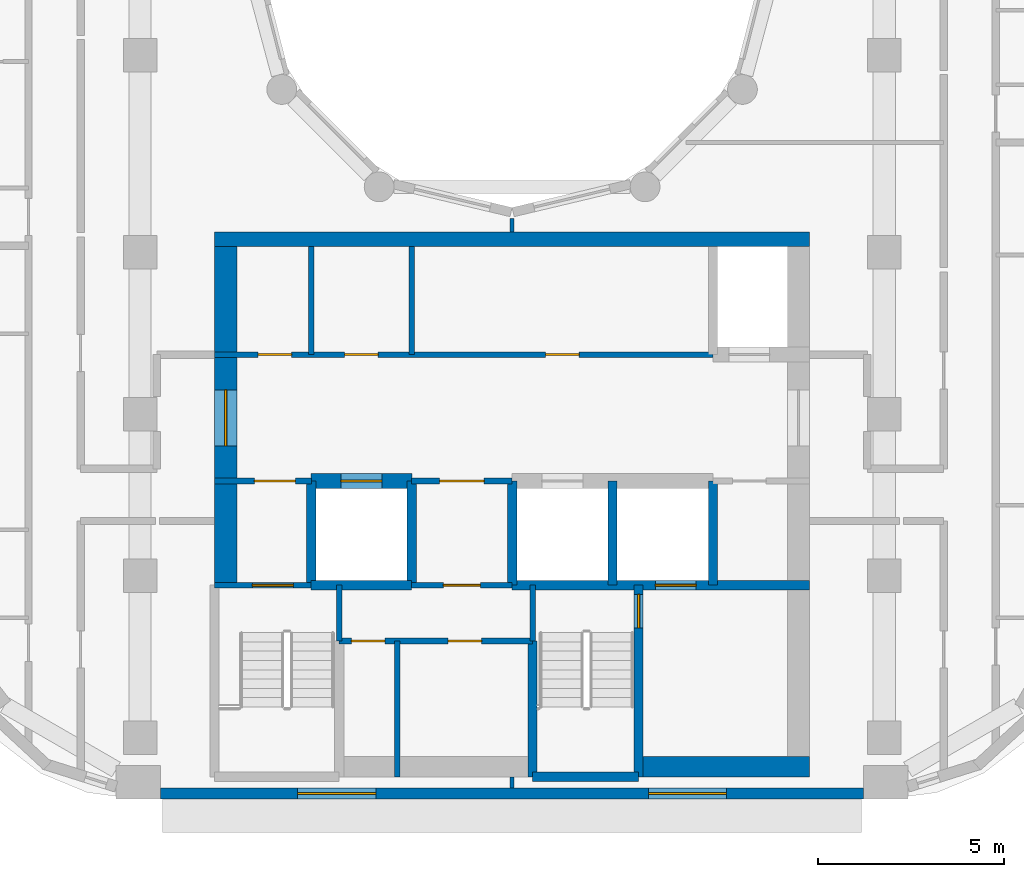
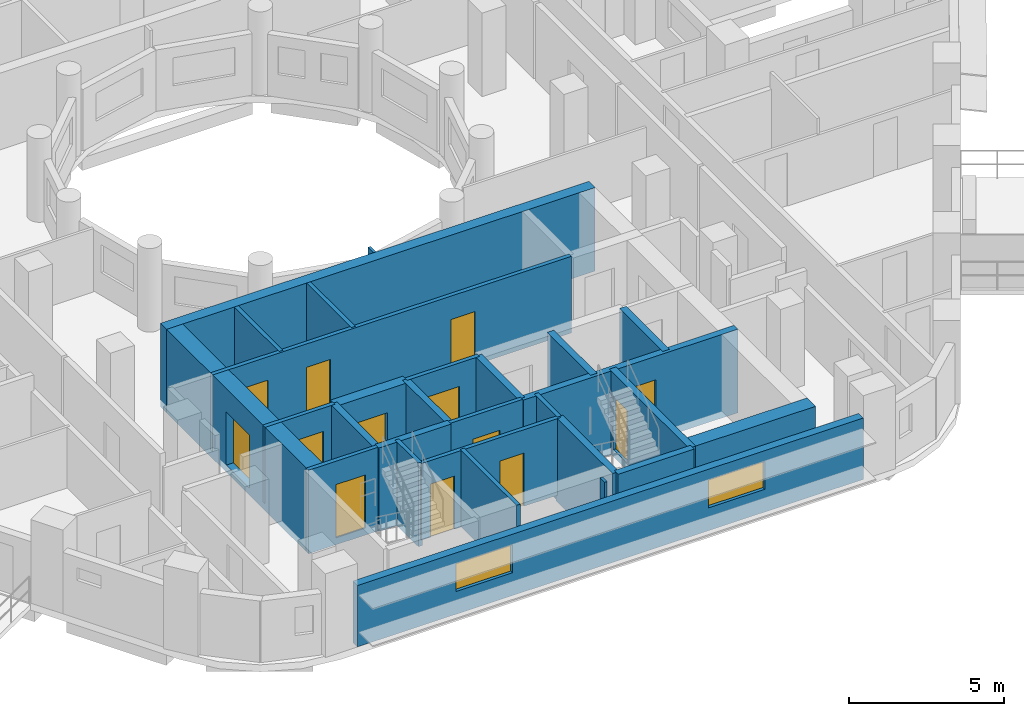
# One storey, part 3 of 15: 28 walls, 13 doors, 2 windows, 15 openings.
"""IFC4 building model written with IfcOpenShell, lengths in metres."""

from ifc_helpers import new_model, si_unit, direction, frame, frame_2d, origin, place, context, subcontext, project, spatial, rectangle, extrude, material, layer, layer_set, type_object, element, fill, save


model = new_model("IFC4")

# Units and contexts
model_context = context("Model", 3, precision=1e-05, world=origin(), true_north=direction((0.0, 1.0)))
body_context = subcontext(model_context, "Body", "Model", "MODEL_VIEW")
ifc_project = project(units=[si_unit("LENGTHUNIT", "METRE"), si_unit("AREAUNIT", "SQUARE_METRE"), si_unit("VOLUMEUNIT", "CUBIC_METRE"), si_unit("PLANEANGLEUNIT", "RADIAN"), si_unit("MASSUNIT", "GRAM", prefix="KILO")], contexts=[model_context])

# Site, building, storey
site_placement = place(None, origin())
site = spatial("IfcSite", under=ifc_project, at=site_placement, CompositionType="ELEMENT")
building_placement = place(site_placement, origin())
building = spatial("IfcBuilding", under=site, at=building_placement, Name="Nakaniwa Court", CompositionType="ELEMENT")
storey_placement = place(building_placement, frame((0.0, 0.0, 186.60009765625)))
storey = spatial("IfcBuildingStorey", under=building, at=storey_placement, Name="L48", CompositionType="ELEMENT", Elevation=186.60009765625)

# Wall, openings, windows
ifc_material_1 = material(Name="Charcoal ceramic cladding")
ifc_layer_1 = layer(ifc_material_1, 0.02, Name="Ceramic cladding")
ifc_material_2 = material(Name="Ventilated air cavity")
ifc_layer_2 = layer(ifc_material_2, 0.04, ventilated=True, Name="Ventilated cavity")
ifc_material_3 = material(Name="Mineral wool insulation")
ifc_layer_3 = layer(ifc_material_3, 0.1, Name="Insulation")
ifc_material_4 = material(Name="Cement bonded sheathing board")
ifc_layer_4 = layer(ifc_material_4, 0.012, Name="Sheathing")
ifc_material_5 = material(Name="Cold-formed galvanised stud frame with mineral wool infill")
ifc_layer_5 = layer(ifc_material_5, 0.1, Name="Stud frame")
ifc_material_6 = material(Name="Fire-rated gypsum plasterboard lining")
ifc_layer_6 = layer(ifc_material_6, 0.028, Name="Lining")
ifc_layer_set_1 = layer_set([ifc_layer_1, ifc_layer_2, ifc_layer_3, ifc_layer_4, ifc_layer_5, ifc_layer_6], Name="Charcoal ceramic faced external wall system")
wall_type_1 = type_object("IfcWallType", Name="Black ceramic faced external wall 300", PredefinedType="SOLIDWALL", material=ifc_layer_set_1)
wall_1_placement = place(storey_placement, frame((70.55078125, 57.5, 0.0), z_axis=(0.0, 0.0, 1.0), x_axis=(1.0, 0.0, 0.0)))
wall_1 = element("IfcWall", 1, at=wall_1_placement, inside=storey, type_object=wall_type_1, Name="L48 external wall 26", PredefinedType="SOLIDWALL", context=body_context, shape_type="SweptSolid", body=[
    extrude(rectangle(XDim=18.892822265625, YDim=0.300048828125, at=frame_2d((9.4462890625, 0.0))), origin(), (0.0, 0.0, 1.0), 2.4248046875),
])
opening_1_placement = place(wall_1_placement, frame((3.6865234375, 0.0, 0.89990234375)))
opening_1 = element("IfcOpeningElement", 2, at=opening_1_placement, cuts=wall_1, Name="Opening W7.27", PredefinedType="OPENING", context=body_context, shape_type="SweptSolid", body=[
    extrude(rectangle(XDim=2.10009765625, YDim=1.10009765625, at=frame_2d((1.050048828125, 0.550048828125))), frame((0.0, 0.159912109375, 0.0), z_axis=(0.0, -1.0, 0.0), x_axis=(1.0, 0.0, 0.0)), (0.0, 0.0, 1.0), 0.320068359375),
])
opening_2_placement = place(wall_1_placement, frame((13.10888671875, 0.0, 0.89990234375)))
opening_2 = element("IfcOpeningElement", 3, at=opening_2_placement, cuts=wall_1, Name="Opening W7.28", PredefinedType="OPENING", context=body_context, shape_type="SweptSolid", body=[
    extrude(rectangle(XDim=2.10009765625, YDim=1.10009765625, at=frame_2d((1.050048828125, 0.550048828125))), frame((0.0, 0.159912109375, 0.0), z_axis=(0.0, -1.0, 0.0), x_axis=(1.0, 0.0, 0.0)), (0.0, 0.0, 1.0), 0.320068359375),
])
ifc_material_7 = material(Name="Black anodised aluminium frame with dark low-E laminated double glazing", Category="aluminium")
window_type = type_object("IfcWindowType", Name="Dark glass window 2100x1100 sill 900", PartitioningType="SINGLE_PANEL", PredefinedType="WINDOW", material=ifc_material_7)
window_1_placement = place(opening_1_placement, origin())
window_1 = element("IfcWindow", 4, at=window_1_placement, inside=storey, type_object=window_type, Name="L48 habitable room window 26-0", OverallHeight=1.10009765625, OverallWidth=2.10009765625, PartitioningType="SINGLE_PANEL", PredefinedType="WINDOW", context=body_context, shape_type="SweptSolid", body=[
    extrude(rectangle(XDim=2.10009765625, YDim=1.10009765625, at=frame_2d((1.050048828125, 0.550048828125))), frame((0.0, 0.030029296875, 0.0), z_axis=(0.0, -1.0, 0.0), x_axis=(1.0, 0.0, 0.0)), (0.0, 0.0, 1.0), 0.06005859375),
])
fill(opening_1, window_1)
window_2_placement = place(opening_2_placement, origin())
window_2 = element("IfcWindow", 5, at=window_2_placement, inside=storey, type_object=window_type, Name="L48 habitable room window 26-1", OverallHeight=1.10009765625, OverallWidth=2.10009765625, PartitioningType="SINGLE_PANEL", PredefinedType="WINDOW", context=body_context, shape_type="SweptSolid", body=[
    extrude(rectangle(XDim=2.10009765625, YDim=1.10009765625, at=frame_2d((1.050048828125, 0.550048828125))), frame((0.0, 0.030029296875, 0.0), z_axis=(0.0, -1.0, 0.0), x_axis=(1.0, 0.0, 0.0)), (0.0, 0.0, 1.0), 0.06005859375),
])
fill(opening_2, window_2)

# Wall
ifc_material_8 = material(Name="Blockwork partition", Category="masonry")
ifc_layer_7 = layer(ifc_material_8, 0.14990234375)
ifc_layer_set_2 = layer_set([ifc_layer_7], Name="Blockwork partition")
wall_type_2 = type_object("IfcWallType", Name="Blockwork partition 150", PredefinedType="PARTITIONING", material=ifc_layer_set_2)
wall_2_placement = place(storey_placement, frame((74.60009765625, 69.300048828125, 0.0), z_axis=(0.0, 0.0, 1.0), x_axis=(0.0, 1.0, 0.0)))
element("IfcWall", 6, at=wall_2_placement, inside=storey, type_object=wall_type_2, Name="Partition PW-034", PredefinedType="PARTITIONING", context=body_context, shape_type="SweptSolid", body=[
    extrude(rectangle(XDim=2.89990234375, YDim=0.14990234375, at=frame_2d((1.449951171875, 0.0))), origin(), (0.0, 0.0, 1.0), 3.02490234375),
])

# Wall, openings, doors
wall_3_placement = place(storey_placement, frame((72.0, 69.300048828125, 0.0), z_axis=(0.0, 0.0, 1.0), x_axis=(1.0, 0.0, 0.0)))
wall_3 = element("IfcWall", 7, at=wall_3_placement, inside=storey, type_object=wall_type_2, Name="Partition PW-035", PredefinedType="PARTITIONING", context=body_context, shape_type="SweptSolid", body=[
    extrude(rectangle(XDim=13.39990234375, YDim=0.14990234375, at=frame_2d((6.699951171875, 0.0))), origin(), (0.0, 0.0, 1.0), 3.02490234375),
])
opening_3_placement = place(wall_3_placement, frame((1.175048828125, 0.0, 0.0)))
opening_3 = element("IfcOpeningElement", 8, at=opening_3_placement, cuts=wall_3, Name="Opening D-05-07", PredefinedType="OPENING", context=body_context, shape_type="SweptSolid", body=[
    extrude(rectangle(XDim=0.89990234375, YDim=2.10009765625, at=frame_2d((0.449951171875, 1.050048828125))), frame((0.0, 0.0849609375, 0.0), z_axis=(0.0, -1.0, 0.0), x_axis=(1.0, 0.0, 0.0)), (0.0, 0.0, 1.0), 0.169921875),
])
opening_4_placement = place(wall_3_placement, frame((3.5, 0.0, 0.0)))
opening_4 = element("IfcOpeningElement", 9, at=opening_4_placement, cuts=wall_3, Name="Opening D-05-08", PredefinedType="OPENING", context=body_context, shape_type="SweptSolid", body=[
    extrude(rectangle(XDim=0.89990234375, YDim=2.10009765625, at=frame_2d((0.449951171875, 1.050048828125))), frame((0.0, 0.0849609375, 0.0), z_axis=(0.0, -1.0, 0.0), x_axis=(1.0, 0.0, 0.0)), (0.0, 0.0, 1.0), 0.169921875),
])
opening_5_placement = place(wall_3_placement, frame((8.89990234375, 0.0, 0.0)))
opening_5 = element("IfcOpeningElement", 10, at=opening_5_placement, cuts=wall_3, Name="Opening D-05-09", PredefinedType="OPENING", context=body_context, shape_type="SweptSolid", body=[
    extrude(rectangle(XDim=0.89990234375, YDim=2.10009765625, at=frame_2d((0.449951171875, 1.050048828125))), frame((0.0, 0.0849609375, 0.0), z_axis=(0.0, -1.0, 0.0), x_axis=(1.0, 0.0, 0.0)), (0.0, 0.0, 1.0), 0.169921875),
])
ifc_material_9 = material(Name="Fire rated steel door set", Category="steel")
door_type_1 = type_object("IfcDoorType", Name="Service room door 900", OperationType="NOTDEFINED", PredefinedType="DOOR", material=ifc_material_9)
door_1_placement = place(opening_3_placement, origin())
door_1 = element("IfcDoor", 11, at=door_1_placement, inside=storey, type_object=door_type_1, Name="Door D-05-07 L48-012", OperationType="SINGLE_SWING_LEFT", OverallHeight=2.10009765625, OverallWidth=0.89990234375, PredefinedType="DOOR", context=body_context, shape_type="SweptSolid", body=[
    extrude(rectangle(XDim=0.89990234375, YDim=2.10009765625, at=frame_2d((0.449951171875, 1.050048828125))), frame((0.0, 0.02490234375, 0.0), z_axis=(0.0, -1.0, 0.0), x_axis=(1.0, 0.0, 0.0)), (0.0, 0.0, 1.0), 0.050048828125),
])
fill(opening_3, door_1)
door_2_placement = place(opening_4_placement, origin())
door_2 = element("IfcDoor", 12, at=door_2_placement, inside=storey, type_object=door_type_1, Name="Door D-05-08 L48-013", OperationType="SINGLE_SWING_RIGHT", OverallHeight=2.10009765625, OverallWidth=0.89990234375, PredefinedType="DOOR", context=body_context, shape_type="SweptSolid", body=[
    extrude(rectangle(XDim=0.89990234375, YDim=2.10009765625, at=frame_2d((0.449951171875, 1.050048828125))), frame((0.0, 0.02490234375, 0.0), z_axis=(0.0, -1.0, 0.0), x_axis=(1.0, 0.0, 0.0)), (0.0, 0.0, 1.0), 0.050048828125),
])
fill(opening_4, door_2)
door_3_placement = place(opening_5_placement, origin())
door_3 = element("IfcDoor", 13, at=door_3_placement, inside=storey, type_object=door_type_1, Name="Door D-05-09 L48-014", OperationType="SINGLE_SWING_LEFT", OverallHeight=2.10009765625, OverallWidth=0.89990234375, PredefinedType="DOOR", context=body_context, shape_type="SweptSolid", body=[
    extrude(rectangle(XDim=0.89990234375, YDim=2.10009765625, at=frame_2d((0.449951171875, 1.050048828125))), frame((0.0, 0.02490234375, 0.0), z_axis=(0.0, -1.0, 0.0), x_axis=(1.0, 0.0, 0.0)), (0.0, 0.0, 1.0), 0.050048828125),
])
fill(opening_5, door_3)

# Wall
wall_4_placement = place(storey_placement, frame((77.300048828125, 69.300048828125, 0.0), z_axis=(0.0, 0.0, 1.0), x_axis=(0.0, 1.0, 0.0)))
element("IfcWall", 14, at=wall_4_placement, inside=storey, type_object=wall_type_2, Name="Partition PW-041", PredefinedType="PARTITIONING", context=body_context, shape_type="SweptSolid", body=[
    extrude(rectangle(XDim=2.89990234375, YDim=0.14990234375, at=frame_2d((1.449951171875, 0.0))), origin(), (0.0, 0.0, 1.0), 3.02490234375),
])

# Wall, opening, door
wall_5_placement = place(storey_placement, frame((74.60302734375, 65.89990234375, 0.0), z_axis=(0.0, 0.0, 1.0), x_axis=(-1.0, 0.0, 0.0)))
wall_5 = element("IfcWall", 15, at=wall_5_placement, inside=storey, type_object=wall_type_2, Name="Partition PW-042", PredefinedType="PARTITIONING", context=body_context, shape_type="SweptSolid", body=[
    extrude(rectangle(XDim=2.60302734375, YDim=0.14990234375, at=frame_2d((1.301513671875, 0.0))), origin(), (0.0, 0.0, 1.0), 3.02490234375),
])
opening_6_placement = place(wall_5_placement, frame((0.427978515625, 0.0, 0.0)))
opening_6 = element("IfcOpeningElement", 16, at=opening_6_placement, cuts=wall_5, Name="Opening D-08-02", PredefinedType="OPENING", context=body_context, shape_type="SweptSolid", body=[
    extrude(rectangle(XDim=1.10009765625, YDim=2.10009765625, at=frame_2d((0.550048828125, 1.050048828125))), frame((0.0, 0.0849609375, 0.0), z_axis=(0.0, -1.0, 0.0), x_axis=(1.0, 0.0, 0.0)), (0.0, 0.0, 1.0), 0.169921875),
])
door_type_2 = type_object("IfcDoorType", Name="Stair lobby door 1100", OperationType="NOTDEFINED", PredefinedType="DOOR", material=ifc_material_9)
door_4_placement = place(opening_6_placement, origin())
door_4 = element("IfcDoor", 17, at=door_4_placement, inside=storey, type_object=door_type_2, Name="Door D-08-02 L48-015", OperationType="SINGLE_SWING_RIGHT", OverallHeight=2.10009765625, OverallWidth=1.10009765625, PredefinedType="DOOR", context=body_context, shape_type="SweptSolid", body=[
    extrude(rectangle(XDim=1.10009765625, YDim=2.10009765625, at=frame_2d((0.550048828125, 1.050048828125))), frame((0.0, 0.02490234375, 0.0), z_axis=(0.0, -1.0, 0.0), x_axis=(1.0, 0.0, 0.0)), (0.0, 0.0, 1.0), 0.050048828125),
])
fill(opening_6, door_4)

wall_6_placement = place(storey_placement, frame((80.0029296875, 65.89990234375, 0.0), z_axis=(0.0, 0.0, 1.0), x_axis=(-1.0, 0.0, 0.0)))
wall_6 = element("IfcWall", 18, at=wall_6_placement, inside=storey, type_object=wall_type_2, Name="Partition PW-043", PredefinedType="PARTITIONING", context=body_context, shape_type="SweptSolid", body=[
    extrude(rectangle(XDim=2.705810546875, YDim=0.14990234375, at=frame_2d((1.35302734375, 0.0))), origin(), (0.0, 0.0, 1.0), 3.02490234375),
])
opening_7_placement = place(wall_6_placement, frame((0.7529296875, 0.0, 0.0)))
opening_7 = element("IfcOpeningElement", 19, at=opening_7_placement, cuts=wall_6, Name="Opening D-06-02", PredefinedType="OPENING", context=body_context, shape_type="SweptSolid", body=[
    extrude(rectangle(XDim=1.199951171875, YDim=2.10009765625, at=frame_2d((0.60009765625, 1.050048828125))), frame((0.0, 0.0849609375, 0.0), z_axis=(0.0, -1.0, 0.0), x_axis=(1.0, 0.0, 0.0)), (0.0, 0.0, 1.0), 0.169921875),
])
ifc_material_10 = material(Name="Fire rated steel double door set", Category="steel")
door_type_3 = type_object("IfcDoorType", Name="Service passage double door 1200", OperationType="NOTDEFINED", PredefinedType="DOOR", material=ifc_material_10)
door_5_placement = place(opening_7_placement, origin())
door_5 = element("IfcDoor", 20, at=door_5_placement, inside=storey, type_object=door_type_3, Name="Door D-06-02 L48-016", OperationType="DOUBLE_DOOR_SINGLE_SWING", OverallHeight=2.10009765625, OverallWidth=1.199951171875, PredefinedType="DOOR", context=body_context, shape_type="SweptSolid", body=[
    extrude(rectangle(XDim=1.199951171875, YDim=2.10009765625, at=frame_2d((0.60009765625, 1.050048828125))), frame((0.0, 0.02490234375, 0.0), z_axis=(0.0, -1.0, 0.0), x_axis=(1.0, 0.0, 0.0)), (0.0, 0.0, 1.0), 0.050048828125),
])
fill(opening_7, door_5)

wall_7_placement = place(storey_placement, frame((80.0, 63.10009765625, 0.0), z_axis=(0.0, 0.0, 1.0), x_axis=(-1.0, 0.0, 0.0)))
wall_7 = element("IfcWall", 21, at=wall_7_placement, inside=storey, type_object=wall_type_2, Name="Partition PW-053", PredefinedType="PARTITIONING", context=body_context, shape_type="SweptSolid", body=[
    extrude(rectangle(XDim=2.699951171875, YDim=0.14990234375, at=frame_2d((1.35009765625, 0.0))), origin(), (0.0, 0.0, 1.0), 3.02490234375),
])
opening_8_placement = place(wall_7_placement, frame((0.85009765625, 0.0, 0.0)))
opening_8 = element("IfcOpeningElement", 22, at=opening_8_placement, cuts=wall_7, Name="Opening D-23-02", PredefinedType="OPENING", context=body_context, shape_type="SweptSolid", body=[
    extrude(rectangle(XDim=1.0, YDim=2.10009765625, at=frame_2d((0.5, 1.050048828125))), frame((0.0, 0.0849609375, 0.0), z_axis=(0.0, -1.0, 0.0), x_axis=(1.0, 0.0, 0.0)), (0.0, 0.0, 1.0), 0.169921875),
])
door_type_4 = type_object("IfcDoorType", Name="Service room door 1000", OperationType="NOTDEFINED", PredefinedType="DOOR", material=ifc_material_9)
door_6_placement = place(opening_8_placement, origin())
door_6 = element("IfcDoor", 23, at=door_6_placement, inside=storey, type_object=door_type_4, Name="Door D-23-02 L48-018", OperationType="SINGLE_SWING_LEFT", OverallHeight=2.10009765625, OverallWidth=1.0, PredefinedType="DOOR", context=body_context, shape_type="SweptSolid", body=[
    extrude(rectangle(XDim=1.0, YDim=2.10009765625, at=frame_2d((0.5, 1.050048828125))), frame((0.0, 0.02490234375, 0.0), z_axis=(0.0, -1.0, 0.0), x_axis=(1.0, 0.0, 0.0)), (0.0, 0.0, 1.0), 0.050048828125),
])
fill(opening_8, door_6)

# Wall, openings, doors
wall_8_placement = place(storey_placement, frame((80.550048828125, 61.60009765625, 0.0), z_axis=(0.0, 0.0, 1.0), x_axis=(-1.0, 0.0, 0.0)))
wall_8 = element("IfcWall", 24, at=wall_8_placement, inside=storey, type_object=wall_type_2, Name="Partition PW-065", PredefinedType="PARTITIONING", context=body_context, shape_type="SweptSolid", body=[
    extrude(rectangle(XDim=5.199951171875, YDim=0.14990234375, at=frame_2d((2.60009765625, 0.0))), origin(), (0.0, 0.0, 1.0), 3.02490234375),
])
opening_9_placement = place(wall_8_placement, frame((3.969970703125, 0.0, 0.0)))
opening_9 = element("IfcOpeningElement", 25, at=opening_9_placement, cuts=wall_8, Name="Opening D-05-11", PredefinedType="OPENING", context=body_context, shape_type="SweptSolid", body=[
    extrude(rectangle(XDim=0.89990234375, YDim=2.10009765625, at=frame_2d((0.449951171875, 1.050048828125))), frame((0.0, 0.0849609375, 0.0), z_axis=(0.0, -1.0, 0.0), x_axis=(1.0, 0.0, 0.0)), (0.0, 0.0, 1.0), 0.169921875),
])
opening_10_placement = place(wall_8_placement, frame((1.3701171875, 0.0, 0.0)))
opening_10 = element("IfcOpeningElement", 26, at=opening_10_placement, cuts=wall_8, Name="Opening D-05-12", PredefinedType="OPENING", context=body_context, shape_type="SweptSolid", body=[
    extrude(rectangle(XDim=0.89990234375, YDim=2.10009765625, at=frame_2d((0.449951171875, 1.050048828125))), frame((0.0, 0.0849609375, 0.0), z_axis=(0.0, -1.0, 0.0), x_axis=(1.0, 0.0, 0.0)), (0.0, 0.0, 1.0), 0.169921875),
])
door_7_placement = place(opening_9_placement, origin())
door_7 = element("IfcDoor", 27, at=door_7_placement, inside=storey, type_object=door_type_1, Name="Door D-05-11 L48-019", OperationType="SINGLE_SWING_RIGHT", OverallHeight=2.10009765625, OverallWidth=0.89990234375, PredefinedType="DOOR", context=body_context, shape_type="SweptSolid", body=[
    extrude(rectangle(XDim=0.89990234375, YDim=2.10009765625, at=frame_2d((0.449951171875, 1.050048828125))), frame((0.0, 0.02490234375, 0.0), z_axis=(0.0, -1.0, 0.0), x_axis=(1.0, 0.0, 0.0)), (0.0, 0.0, 1.0), 0.050048828125),
])
fill(opening_9, door_7)
door_8_placement = place(opening_10_placement, origin())
door_8 = element("IfcDoor", 28, at=door_8_placement, inside=storey, type_object=door_type_1, Name="Door D-05-12 L48-020", OperationType="SINGLE_SWING_LEFT", OverallHeight=2.10009765625, OverallWidth=0.89990234375, PredefinedType="DOOR", context=body_context, shape_type="SweptSolid", body=[
    extrude(rectangle(XDim=0.89990234375, YDim=2.10009765625, at=frame_2d((0.449951171875, 1.050048828125))), frame((0.0, 0.02490234375, 0.0), z_axis=(0.0, -1.0, 0.0), x_axis=(1.0, 0.0, 0.0)), (0.0, 0.0, 1.0), 0.050048828125),
])
fill(opening_10, door_8)

# Wall
wall_9_placement = place(storey_placement, frame((76.909912109375, 57.949951171875, 0.0), z_axis=(0.0, 0.0, 1.0), x_axis=(0.0, 1.0, 0.0)))
element("IfcWall", 29, at=wall_9_placement, inside=storey, type_object=wall_type_2, Name="Partition PW-066", PredefinedType="PARTITIONING", context=body_context, shape_type="SweptSolid", body=[
    extrude(rectangle(XDim=3.650146484375, YDim=0.14990234375, at=frame_2d((1.8251953125, 0.0))), origin(), (0.0, 0.0, 1.0), 3.02490234375),
])

# Wall, opening, door
ifc_material_11 = material(Name="Concrete C80/100", Category="concrete")
ifc_layer_8 = layer(ifc_material_11, 0.60009765625)
ifc_layer_set_3 = layer_set([ifc_layer_8], Name="Concrete C80/100")
wall_type_3 = type_object("IfcWallType", Name="Concrete core side wall 600 C80", PredefinedType="SHEAR", material=ifc_layer_set_3)
wall_10_placement = place(storey_placement, frame((72.300048828125, 63.10009765625, -0.275146484375), z_axis=(0.0, 0.0, 1.0), x_axis=(0.0, 1.0, 0.0)))
wall_10 = element("IfcWall", 30, at=wall_10_placement, inside=storey, type_object=wall_type_3, Name="Core wall SW-36", PredefinedType="SHEAR", context=body_context, shape_type="SweptSolid", body=[
    extrude(rectangle(XDim=9.099853515625, YDim=0.60009765625, at=frame_2d((4.5498046875, 0.0))), origin(), (0.0, 0.0, 1.0), 3.300048828125),
])
opening_11_placement = place(wall_10_placement, frame((3.748046875, 0.0, 0.27490234375)))
opening_11 = element("IfcOpeningElement", 31, at=opening_11_placement, cuts=wall_10, Name="Opening D-07-04", PredefinedType="OPENING", context=body_context, shape_type="SweptSolid", body=[
    extrude(rectangle(XDim=1.5, YDim=2.10009765625, at=frame_2d((0.75, 1.050048828125))), frame((0.0, 0.31005859375, 0.0), z_axis=(0.0, -1.0, 0.0), x_axis=(1.0, 0.0, 0.0)), (0.0, 0.0, 1.0), 0.6201171875),
])
ifc_material_12 = material(Name="Glazed fire rated steel double door set", Category="steel")
door_type_5 = type_object("IfcDoorType", Name="Lobby double door 1500", OperationType="NOTDEFINED", PredefinedType="DOOR", material=ifc_material_12)
door_9_placement = place(opening_11_placement, origin())
door_9 = element("IfcDoor", 32, at=door_9_placement, inside=storey, type_object=door_type_5, Name="Door D-07-04 L48-055", OperationType="DOUBLE_DOOR_SINGLE_SWING", OverallHeight=2.10009765625, OverallWidth=1.5, PredefinedType="DOOR", context=body_context, shape_type="SweptSolid", body=[
    extrude(rectangle(XDim=1.5, YDim=2.10009765625, at=frame_2d((0.75, 1.050048828125))), frame((0.0, 0.02490234375, 0.0), z_axis=(0.0, -1.0, 0.0), x_axis=(1.0, 0.0, 0.0)), (0.0, 0.0, 1.0), 0.050048828125),
])
fill(opening_11, door_9)

ifc_layer_9 = layer(ifc_material_11, 0.39990234375)
ifc_layer_set_4 = layer_set([ifc_layer_9], Name="Concrete C80/100")
wall_type_4 = type_object("IfcWallType", Name="Concrete core spine wall 400 C80", PredefinedType="SHEAR", material=ifc_layer_set_4)
wall_11_placement = place(storey_placement, frame((74.596923828125, 65.89990234375, -0.275146484375), z_axis=(0.0, 0.0, 1.0), x_axis=(1.0, 0.0, 0.0)))
wall_11 = element("IfcWall", 33, at=wall_11_placement, inside=storey, type_object=wall_type_4, Name="Core wall SW-45", PredefinedType="SHEAR", context=body_context, shape_type="SweptSolid", body=[
    extrude(rectangle(XDim=2.7060546875, YDim=0.39990234375, at=frame_2d((1.35302734375, 0.0))), origin(), (0.0, 0.0, 1.0), 3.300048828125),
])
opening_12_placement = place(wall_11_placement, frame((0.802978515625, 0.0, 0.27490234375)))
opening_12 = element("IfcOpeningElement", 34, at=opening_12_placement, cuts=wall_11, Name="Opening LD06", PredefinedType="OPENING", context=body_context, shape_type="SweptSolid", body=[
    extrude(rectangle(XDim=1.10009765625, YDim=2.10009765625, at=frame_2d((0.550048828125, 1.050048828125))), frame((0.0, 0.2099609375, 0.0), z_axis=(0.0, -1.0, 0.0), x_axis=(1.0, 0.0, 0.0)), (0.0, 0.0, 1.0), 0.419921875),
])
ifc_material_13 = material(Name="Stainless steel sliding lift landing door", Category="steel")
door_type_6 = type_object("IfcDoorType", Name="Lift landing door 1100", OperationType="NOTDEFINED", PredefinedType="DOOR", material=ifc_material_13)
door_10_placement = place(opening_12_placement, origin())
door_10 = element("IfcDoor", 35, at=door_10_placement, inside=storey, type_object=door_type_6, Name="Lift landing door LD06 L48-006", OperationType="SLIDING_TO_LEFT", OverallHeight=2.10009765625, OverallWidth=1.10009765625, PredefinedType="DOOR", context=body_context, shape_type="SweptSolid", body=[
    extrude(rectangle(XDim=1.10009765625, YDim=2.10009765625, at=frame_2d((0.550048828125, 1.050048828125))), frame((0.0, 0.02490234375, 0.0), z_axis=(0.0, -1.0, 0.0), x_axis=(1.0, 0.0, 0.0)), (0.0, 0.0, 1.0), 0.050048828125),
])
fill(opening_12, door_10)

ifc_layer_10 = layer(ifc_material_11, 0.14990234375)
ifc_layer_set_5 = layer_set([ifc_layer_10], Name="Concrete C80/100")
wall_type_5 = type_object("IfcWallType", Name="Concrete core wall 150 C80", PredefinedType="SHEAR", material=ifc_layer_set_5)
wall_12_placement = place(storey_placement, frame((72.0, 63.10009765625, -0.275146484375), z_axis=(0.0, 0.0, 1.0), x_axis=(1.0, 0.0, 0.0)))
wall_12 = element("IfcWall", 36, at=wall_12_placement, inside=storey, type_object=wall_type_5, Name="Core wall SW-48", PredefinedType="SHEAR", context=body_context, shape_type="SweptSolid", body=[
    extrude(rectangle(XDim=2.60009765625, YDim=0.14990234375, at=frame_2d((1.300048828125, 0.0))), origin(), (0.0, 0.0, 1.0), 3.300048828125),
])
opening_13_placement = place(wall_12_placement, frame((1.02001953125, 0.0, 0.27490234375)))
opening_13 = element("IfcOpeningElement", 37, at=opening_13_placement, cuts=wall_12, Name="Opening D-09-02", PredefinedType="OPENING", context=body_context, shape_type="SweptSolid", body=[
    extrude(rectangle(XDim=1.10009765625, YDim=2.10009765625, at=frame_2d((0.550048828125, 1.050048828125))), frame((0.0, 0.0849609375, 0.0), z_axis=(0.0, -1.0, 0.0), x_axis=(1.0, 0.0, 0.0)), (0.0, 0.0, 1.0), 0.169921875),
])
door_type_7 = type_object("IfcDoorType", Name="Stair door 1100", OperationType="NOTDEFINED", PredefinedType="DOOR", material=ifc_material_9)
door_11_placement = place(opening_13_placement, origin())
door_11 = element("IfcDoor", 38, at=door_11_placement, inside=storey, type_object=door_type_7, Name="Door D-09-02 L48-021", OperationType="SINGLE_SWING_LEFT", OverallHeight=2.10009765625, OverallWidth=1.10009765625, PredefinedType="DOOR", context=body_context, shape_type="SweptSolid", body=[
    extrude(rectangle(XDim=1.10009765625, YDim=2.10009765625, at=frame_2d((0.550048828125, 1.050048828125))), frame((0.0, 0.02490234375, 0.0), z_axis=(0.0, -1.0, 0.0), x_axis=(1.0, 0.0, 0.0)), (0.0, 0.0, 1.0), 0.050048828125),
])
fill(opening_13, door_11)

# Walls
for number, where, z_axis, x_axis, name in (
    (39, (75.35009765625, 61.596923828125, -0.275146484375), (0.0, 0.0, 1.0), (0.0, 1.0, 0.0), "Core wall SW-55"),
    (40, (80.550048828125, 61.596923828125, -0.275146484375), (0.0, 0.0, 1.0), (0.0, 1.0, 0.0), "Core wall SW-61"),
):
    element("IfcWall", number, at=place(storey_placement, frame(where, z_axis=z_axis, x_axis=x_axis)), inside=storey, type_object=wall_type_5, Name=name, PredefinedType="SHEAR", context=body_context, shape_type="SweptSolid", body=[
        extrude(rectangle(XDim=1.503173828125, YDim=0.14990234375, at=frame_2d((0.75146484375, 0.0))), origin(), (0.0, 0.0, 1.0), 3.300048828125),
    ])
ifc_layer_11 = layer(ifc_material_11, 0.25)
ifc_layer_set_6 = layer_set([ifc_layer_11], Name="Concrete C80/100")
wall_type_6 = type_object("IfcWallType", Name="Concrete core wall 250 C80", PredefinedType="SHEAR", material=ifc_layer_set_6)
wall_13_placement = place(storey_placement, frame((80.550048828125, 57.949951171875, -0.275146484375), z_axis=(0.0, 0.0, 1.0), x_axis=(1.0, 0.0, 0.0)))
element("IfcWall", 41, at=wall_13_placement, inside=storey, type_object=wall_type_6, Name="Core wall SW-59", PredefinedType="SHEAR", context=body_context, shape_type="SweptSolid", body=[
    extrude(rectangle(XDim=2.849853515625, YDim=0.25, at=frame_2d((1.4248046875, 0.0))), origin(), (0.0, 0.0, 1.0), 3.300048828125),
])
ifc_layer_12 = layer(ifc_material_11, 0.550048828125)
ifc_layer_set_7 = layer_set([ifc_layer_12], Name="Concrete C80/100")
wall_type_7 = type_object("IfcWallType", Name="Concrete core wall 550 C80", PredefinedType="SHEAR", material=ifc_layer_set_7)
wall_14_placement = place(storey_placement, frame((83.39990234375, 58.22509765625, -0.275146484375), z_axis=(0.0, 0.0, 1.0), x_axis=(1.0, 0.0, 0.0)))
element("IfcWall", 42, at=wall_14_placement, inside=storey, type_object=wall_type_7, Name="Core wall SW-64", PredefinedType="SHEAR", context=body_context, shape_type="SweptSolid", body=[
    extrude(rectangle(XDim=4.60009765625, YDim=0.550048828125, at=frame_2d((2.300048828125, 0.0))), origin(), (0.0, 0.0, 1.0), 3.300048828125),
])
ifc_layer_13 = layer(ifc_material_11, 0.39990234375)
ifc_layer_set_8 = layer_set([ifc_layer_13], Name="Concrete C80/100")
wall_type_8 = type_object("IfcWallType", Name="Concrete core well wall 400 C80", PredefinedType="SHEAR", material=ifc_layer_set_8)
wall_15_placement = place(storey_placement, frame((72.00390625, 72.39990234375, -0.275146484375), z_axis=(0.0, 0.0, 1.0), x_axis=(1.0, 0.0, 0.0)))
element("IfcWall", 43, at=wall_15_placement, inside=storey, type_object=wall_type_8, Name="Core wall SW-133", PredefinedType="SHEAR", context=body_context, shape_type="SweptSolid", body=[
    extrude(rectangle(XDim=15.9921875, YDim=0.39990234375, at=frame_2d((7.99609375, 0.0))), origin(), (0.0, 0.0, 1.0), 3.300048828125),
])
ifc_layer_14 = layer(ifc_material_11, 0.25)
ifc_layer_set_9 = layer_set([ifc_layer_14], Name="Concrete C80/100")
wall_type_9 = type_object("IfcWallType", Name="Concrete shaft wall 250 C80", PredefinedType="SHEAR", material=ifc_layer_set_9)
for number, where, z_axis, x_axis, name in (
    (44, (85.39990234375, 63.10009765625, -0.275146484375), (0.0, 0.0, 1.0), (0.0, 1.0, 0.0), "Core wall SW-37"),
    (45, (74.60009765625, 63.10009765625, -0.275146484375), (0.0, 0.0, 1.0), (0.0, 1.0, 0.0), "Core wall SW-47"),
    (46, (77.300048828125, 63.10009765625, -0.275146484375), (0.0, 0.0, 1.0), (0.0, 1.0, 0.0), "Core wall SW-49"),
):
    element("IfcWall", number, at=place(storey_placement, frame(where, z_axis=z_axis, x_axis=x_axis)), inside=storey, type_object=wall_type_9, Name=name, PredefinedType="SHEAR", context=body_context, shape_type="SweptSolid", body=[
        extrude(rectangle(XDim=2.7998046875, YDim=0.25, at=frame_2d((1.39990234375, 0.0))), origin(), (0.0, 0.0, 1.0), 3.300048828125),
    ])
wall_16_placement = place(storey_placement, frame((74.60009765625, 63.10009765625, -0.275146484375), z_axis=(0.0, 0.0, 1.0), x_axis=(1.0, 0.0, 0.0)))
element("IfcWall", 47, at=wall_16_placement, inside=storey, type_object=wall_type_9, Name="Core wall SW-50", PredefinedType="SHEAR", context=body_context, shape_type="SweptSolid", body=[
    extrude(rectangle(XDim=2.699951171875, YDim=0.25, at=frame_2d((1.35009765625, 0.0))), origin(), (0.0, 0.0, 1.0), 3.300048828125),
])

# Wall, opening, door
wall_17_placement = place(storey_placement, frame((80.0, 63.10009765625, -0.275146484375), z_axis=(0.0, 0.0, 1.0), x_axis=(1.0, 0.0, 0.0)))
wall_17 = element("IfcWall", 48, at=wall_17_placement, inside=storey, type_object=wall_type_9, Name="Core wall SW-51", PredefinedType="SHEAR", context=body_context, shape_type="SweptSolid", body=[
    extrude(rectangle(XDim=8.0, YDim=0.25, at=frame_2d((4.0, 0.0))), origin(), (0.0, 0.0, 1.0), 3.300048828125),
])
opening_14_placement = place(wall_17_placement, frame((3.84912109375, 0.0, 0.27490234375)))
opening_14 = element("IfcOpeningElement", 49, at=opening_14_placement, cuts=wall_17, Name="Opening LD08", PredefinedType="OPENING", context=body_context, shape_type="SweptSolid", body=[
    extrude(rectangle(XDim=1.10009765625, YDim=2.10009765625, at=frame_2d((0.550048828125, 1.050048828125))), frame((0.0, 0.135009765625, 0.0), z_axis=(0.0, -1.0, 0.0), x_axis=(1.0, 0.0, 0.0)), (0.0, 0.0, 1.0), 0.27001953125),
])
door_12_placement = place(opening_14_placement, origin())
door_12 = element("IfcDoor", 50, at=door_12_placement, inside=storey, type_object=door_type_6, Name="Lift landing door LD08 L48-008", OperationType="SLIDING_TO_LEFT", OverallHeight=2.10009765625, OverallWidth=1.10009765625, PredefinedType="DOOR", context=body_context, shape_type="SweptSolid", body=[
    extrude(rectangle(XDim=1.10009765625, YDim=2.10009765625, at=frame_2d((0.550048828125, 1.050048828125))), frame((0.0, 0.02490234375, 0.0), z_axis=(0.0, -1.0, 0.0), x_axis=(1.0, 0.0, 0.0)), (0.0, 0.0, 1.0), 0.050048828125),
])
fill(opening_14, door_12)

# Walls
for number, where, z_axis, x_axis, name in (
    (51, (80.0, 63.10009765625, -0.275146484375), (0.0, 0.0, 1.0), (0.0, 1.0, 0.0), "Core wall SW-52"),
    (52, (82.699951171875, 63.10009765625, -0.275146484375), (0.0, 0.0, 1.0), (0.0, 1.0, 0.0), "Core wall SW-54"),
):
    element("IfcWall", number, at=place(storey_placement, frame(where, z_axis=z_axis, x_axis=x_axis)), inside=storey, type_object=wall_type_9, Name=name, PredefinedType="SHEAR", context=body_context, shape_type="SweptSolid", body=[
        extrude(rectangle(XDim=2.7998046875, YDim=0.25, at=frame_2d((1.39990234375, 0.0))), origin(), (0.0, 0.0, 1.0), 3.300048828125),
    ])

# Wall, opening, door
wall_18_placement = place(storey_placement, frame((83.39990234375, 63.10009765625, -0.275146484375), z_axis=(0.0, 0.0, 1.0), x_axis=(0.0, -1.0, 0.0)))
wall_18 = element("IfcWall", 53, at=wall_18_placement, inside=storey, type_object=wall_type_9, Name="Core wall SW-60", PredefinedType="SHEAR", context=body_context, shape_type="SweptSolid", body=[
    extrude(rectangle(XDim=5.150146484375, YDim=0.25, at=frame_2d((2.5751953125, 0.0))), origin(), (0.0, 0.0, 1.0), 3.300048828125),
])
opening_15_placement = place(wall_18_placement, frame((0.25, 0.0, 0.27490234375)))
opening_15 = element("IfcOpeningElement", 54, at=opening_15_placement, cuts=wall_18, Name="Opening D-11-02", PredefinedType="OPENING", context=body_context, shape_type="SweptSolid", body=[
    extrude(rectangle(XDim=0.89990234375, YDim=2.10009765625, at=frame_2d((0.449951171875, 1.050048828125))), frame((0.0, 0.135009765625, 0.0), z_axis=(0.0, -1.0, 0.0), x_axis=(1.0, 0.0, 0.0)), (0.0, 0.0, 1.0), 0.27001953125),
])
door_type_8 = type_object("IfcDoorType", Name="Stair door 900", OperationType="NOTDEFINED", PredefinedType="DOOR", material=ifc_material_9)
door_13_placement = place(opening_15_placement, origin())
door_13 = element("IfcDoor", 55, at=door_13_placement, inside=storey, type_object=door_type_8, Name="Door D-11-02 L48-022", OperationType="SINGLE_SWING_RIGHT", OverallHeight=2.10009765625, OverallWidth=0.89990234375, PredefinedType="DOOR", context=body_context, shape_type="SweptSolid", body=[
    extrude(rectangle(XDim=0.89990234375, YDim=2.10009765625, at=frame_2d((0.449951171875, 1.050048828125))), frame((0.0, 0.02490234375, 0.0), z_axis=(0.0, -1.0, 0.0), x_axis=(1.0, 0.0, 0.0)), (0.0, 0.0, 1.0), 0.050048828125),
])
fill(opening_15, door_13)

# Walls
wall_19_placement = place(storey_placement, frame((80.550048828125, 57.949951171875, -0.275146484375), z_axis=(0.0, 0.0, 1.0), x_axis=(0.0, 1.0, 0.0)))
element("IfcWall", 56, at=wall_19_placement, inside=storey, type_object=wall_type_9, Name="Core wall SW-62", PredefinedType="SHEAR", context=body_context, shape_type="SweptSolid", body=[
    extrude(rectangle(XDim=3.653076171875, YDim=0.25, at=frame_2d((1.82666015625, 0.0))), origin(), (0.0, 0.0, 1.0), 3.300048828125),
])
ifc_material_14 = material(Name="Single stud plasterboard partition")
ifc_layer_15 = layer(ifc_material_14, 0.10009765625)
ifc_layer_set_10 = layer_set([ifc_layer_15], Name="Single stud plasterboard partition")
wall_type_10 = type_object("IfcWallType", Name="Single stud plasterboard partition 100", PredefinedType="PARTITIONING", material=ifc_layer_set_10)
wall_20_placement = place(storey_placement, frame((80.0, 57.64990234375, 0.0), z_axis=(0.0, 0.0, 1.0), x_axis=(0.0, 1.0, 0.0)))
element("IfcWall", 57, at=wall_20_placement, inside=storey, type_object=wall_type_10, Name="Partition PW-107", PredefinedType="PARTITIONING", context=body_context, shape_type="SweptSolid", body=[
    extrude(rectangle(XDim=0.300048828125, YDim=0.10009765625, at=frame_2d((0.14990234375, 0.0))), origin(), (0.0, 0.0, 1.0), 3.02490234375),
])
wall_21_placement = place(storey_placement, frame((80.0, 72.60009765625, 0.0), z_axis=(0.0, 0.0, 1.0), x_axis=(0.0, 1.0, 0.0)))
element("IfcWall", 58, at=wall_21_placement, inside=storey, type_object=wall_type_10, Name="Partition PW-108", PredefinedType="PARTITIONING", context=body_context, shape_type="SweptSolid", body=[
    extrude(rectangle(XDim=0.351806640625, YDim=0.10009765625, at=frame_2d((0.17578125, 0.0))), origin(), (0.0, 0.0, 1.0), 3.02490234375),
])

save(model, "model.ifc")
